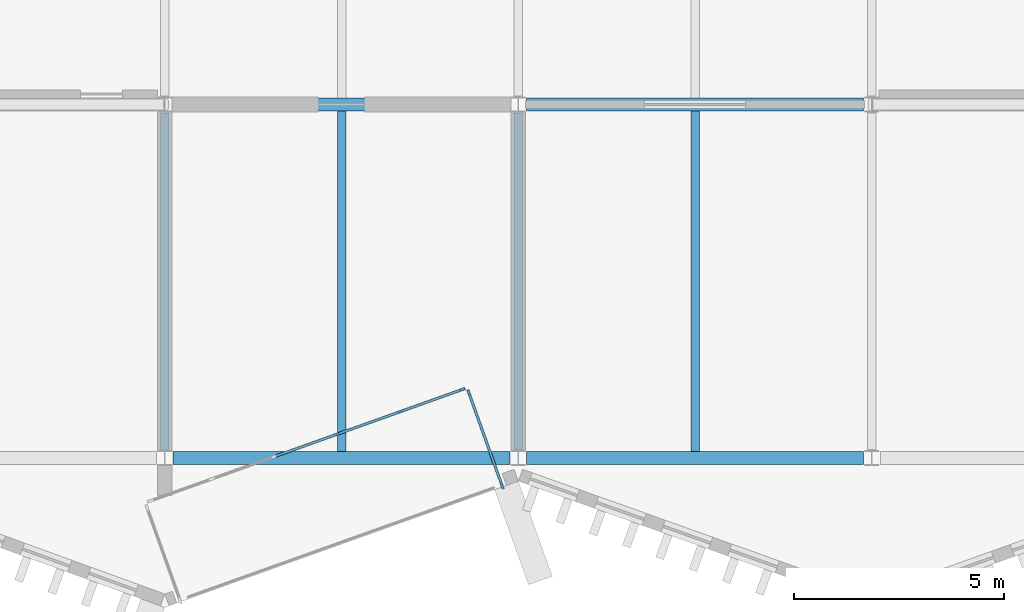
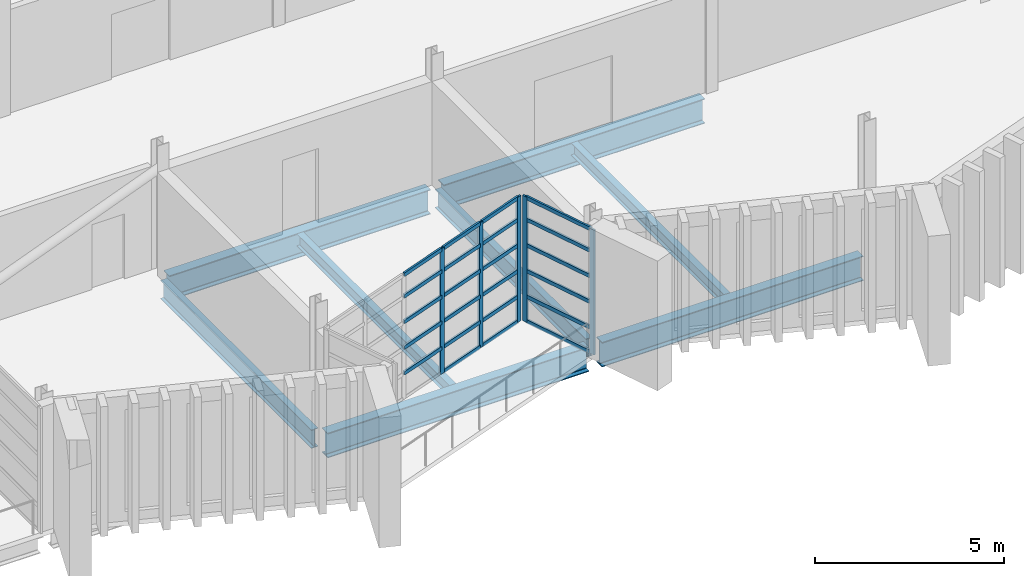
# One storey, part 15 of 96: 28 members, 8 beams, 2 elements without a shape of their own.
"""IFC4 building model written with IfcOpenShell, lengths in metres."""

import ifcopenshell
import ifcopenshell.guid

model = None  # the IFC model being written
_history = None  # IfcOwnerHistory: only IFC2X3 demands one
_inside = {}  # id of a spatial element -> (the spatial element, [elements in it])
_under = {}  # id of a project, library or spatial element -> (it, [spatial elements below it])
_declared = {}  # id of a project -> (the project, [libraries it declares])
_typed = {}  # id of a type object -> (the type object, [elements of that type])
_made_of = {}  # id of a material, layer set ... -> (it, [elements and type objects made of it])


def new_model(schema):
    """Start an empty IFC model of exactly this schema.

    Asked for "IFC4X3", IfcOpenShell would pick the latest addendum, in which some entities
    have other attributes; the version numbers below select the first issue.
    IFC2X3 requires an IfcOwnerHistory on every rooted entity: one is made here for all.
    """
    global model, _history
    if schema == "IFC4X3":
        model = ifcopenshell.file(schema_version=(4, 3, 0, 0))
    else:
        model = ifcopenshell.file(schema=schema)
    _inside.clear()
    _under.clear()
    _declared.clear()
    _typed.clear()
    _made_of.clear()
    _history = None
    if model.schema == "IFC2X3":
        org = make("IfcOrganization", Name="unknown")
        user = make(
            "IfcPersonAndOrganization",
            ThePerson=make("IfcPerson", FamilyName="unknown"),
            TheOrganization=org,
        )
        app = make(
            "IfcApplication",
            ApplicationDeveloper=org,
            Version="unknown",
            ApplicationFullName="unknown",
            ApplicationIdentifier="unknown",
        )
        _history = make(
            "IfcOwnerHistory",
            OwningUser=user,
            OwningApplication=app,
            ChangeAction="ADDED",
            CreationDate=0,
        )
    return model


def make(cls, **values):
    """One entity of the class cls with the attributes given. An attribute that is None is left unset."""
    return model.create_entity(
        cls, **{name: value for name, value in values.items() if value is not None}
    )


def rooted(cls, **values):
    """An entity with a GlobalId (a new one), such as an element, a storey or a relation."""
    return make(cls, GlobalId=ifcopenshell.guid.new(), OwnerHistory=_history, **values)


def si_unit(unit_type, name, prefix=None):
    """IfcSIUnit, for example si_unit("LENGTHUNIT", "METRE", prefix="MILLI")."""
    return make("IfcSIUnit", UnitType=unit_type, Prefix=prefix, Name=name)


def assignment(units):
    """IfcUnitAssignment: the units of a project."""
    return None if units is None else make("IfcUnitAssignment", Units=units)


def point(xyz):
    """IfcCartesianPoint."""
    return None if xyz is None else make("IfcCartesianPoint", Coordinates=xyz)


def direction(xyz):
    """IfcDirection."""
    return None if xyz is None else make("IfcDirection", DirectionRatios=xyz)


def frame(location, z_axis=None, x_axis=None):
    """IfcAxis2Placement3D, a coordinate frame: its origin and axes. An axis left out is left unset."""
    return make(
        "IfcAxis2Placement3D",
        Location=point(location),
        Axis=direction(z_axis),
        RefDirection=direction(x_axis),
    )


def frame_2d(location, x_axis=None):
    """IfcAxis2Placement2D, a coordinate frame in the plane: its origin and x axis."""
    return make(
        "IfcAxis2Placement2D", Location=point(location), RefDirection=direction(x_axis)
    )


def origin():
    """The frame at (0, 0, 0) with its axes left unset."""
    return frame((0.0, 0.0, 0.0))


def origin_2d():
    """The frame at (0, 0) in the plane with its x axis left unset."""
    return frame_2d((0.0, 0.0))


def place(relative_to, where):
    """IfcLocalPlacement: puts the frame where relative to a parent placement (None: the world)."""
    return make(
        "IfcLocalPlacement", PlacementRelTo=relative_to, RelativePlacement=where
    )


def context(
    kind, dimensions, precision=None, world=None, true_north=None, identifier=None
):
    """IfcGeometricRepresentationContext, for example the 3D "Model" context."""
    return make(
        "IfcGeometricRepresentationContext",
        ContextIdentifier=identifier,
        ContextType=kind,
        CoordinateSpaceDimension=dimensions,
        Precision=precision,
        WorldCoordinateSystem=world,
        TrueNorth=true_north,
    )


def subcontext(parent, identifier, kind, view, scale=None):
    """IfcGeometricRepresentationSubContext, for example "Body" below "Model"."""
    return make(
        "IfcGeometricRepresentationSubContext",
        ContextIdentifier=identifier,
        ContextType=kind,
        ParentContext=parent,
        TargetScale=scale,
        TargetView=view,
    )


def project(units=None, contexts=None):
    """IfcProject with its units and contexts."""
    return rooted(
        "IfcProject",
        Name="project",
        RepresentationContexts=contexts,
        UnitsInContext=assignment(units),
    )


def spatial(cls, under=None, at=None, **own):
    """A site, building, storey or space (cls), placed at a placement, below another one or the project."""
    s = rooted(cls, ObjectPlacement=at, **own)
    if under is not None:
        _under.setdefault(under.id(), (under, []))[1].append(s)
    return s


def profile(cls, at=None, kind="AREA", **sizes):
    """A parametric profile (cls). Its sizes go by their IFC names, for example OverallWidth=200.0."""
    return make(cls, ProfileType=kind, Position=at, **sizes)


def rectangle(**sizes):
    """IfcRectangleProfileDef."""
    return profile("IfcRectangleProfileDef", **sizes)


def i_section(**sizes):
    """IfcIShapeProfileDef."""
    return profile("IfcIShapeProfileDef", **sizes)


def extrude(swept, where, along, depth):
    """IfcExtrudedAreaSolid: the profile swept, set in the frame where, extruded along a direction by depth."""
    return make(
        "IfcExtrudedAreaSolid",
        SweptArea=swept,
        Position=where,
        ExtrudedDirection=direction(along),
        Depth=depth,
    )


def shape(context_of_items, identifier, shape_type, items):
    """IfcShapeRepresentation: the items that make up one representation, for example the "Body"."""
    return make(
        "IfcShapeRepresentation",
        ContextOfItems=context_of_items,
        RepresentationIdentifier=identifier,
        RepresentationType=shape_type,
        Items=items,
    )


def material(Name=None, Category=None):
    """IfcMaterial."""
    return make("IfcMaterial", Name=Name, Category=Category)


def layer(
    of_material, thickness, ventilated=None, Name=None, Category=None, Priority=None
):
    """IfcMaterialLayer: one layer of a wall or slab, of a material (None: an air gap)."""
    return make(
        "IfcMaterialLayer",
        Material=of_material,
        LayerThickness=thickness,
        IsVentilated=ventilated,
        Name=Name,
        Category=Category,
        Priority=Priority,
    )


def layer_set(layers, Name=None):
    """IfcMaterialLayerSet."""
    return make("IfcMaterialLayerSet", MaterialLayers=layers, LayerSetName=Name)


def material_profile(
    of_material, cross_section, Name=None, Category=None, Priority=None
):
    """IfcMaterialProfile: a cross section and its material."""
    return make(
        "IfcMaterialProfile",
        Name=Name,
        Material=of_material,
        Profile=cross_section,
        Priority=Priority,
        Category=Category,
    )


def profile_set(profiles, Name=None, composite=None):
    """IfcMaterialProfileSet."""
    return make(
        "IfcMaterialProfileSet",
        Name=Name,
        MaterialProfiles=profiles,
        CompositeProfile=composite,
    )


def made_of(thing, what):
    """Note that an element or type object is made of a material, layer set ...; save() writes the relation."""
    if what is not None:
        _made_of.setdefault(what.id(), (what, []))[1].append(thing)
    return thing


def type_object(cls, material=None, **own):
    """A type object (cls), such as IfcWallType, which elements share."""
    return made_of(rooted(cls, **own), material)


def element(
    cls,
    number,
    at=None,
    inside=None,
    cuts=None,
    type_object=None,
    material=None,
    context=None,
    identifier="Body",
    shape_type=None,
    held_by="IfcProductDefinitionShape",
    body=None,
    shapes=None,
    **own,
):
    """One element of the class cls, such as IfcWall. Its Tag is "e" and its number.

    at: its placement. inside: the storey or other place that contains it. cuts: it is an
    opening in that element (IfcRelVoidsElement). A single representation is given by context,
    identifier, shape_type and body (its items); several are given by shapes. held_by: the class
    of the entity that holds the representations. save() writes the other relations.
    """
    e = rooted(cls, Tag="e%d" % number, ObjectPlacement=at, **own)
    if body is not None:
        shapes = [shape(context, identifier, shape_type, body)]
    if shapes is not None:
        e.Representation = make(held_by, Representations=shapes)
    if inside is not None:
        _inside.setdefault(inside.id(), (inside, []))[1].append(e)
    if cuts is not None:
        rooted(
            "IfcRelVoidsElement", RelatingBuildingElement=cuts, RelatedOpeningElement=e
        )
    if type_object is not None:
        _typed.setdefault(type_object.id(), (type_object, []))[1].append(e)
    return made_of(e, material)


def aggregate(whole, parts):
    """IfcRelAggregates: a whole, such as a stair, and the parts it consists of."""
    return rooted("IfcRelAggregates", RelatingObject=whole, RelatedObjects=parts)


def save(model, path):
    """Write the relations noted so far, then the file.

    IfcRelAggregates (storeys below a building ...), IfcRelContainedInSpatialStructure (elements
    in a storey), IfcRelDefinesByType, IfcRelAssociatesMaterial and IfcRelDeclares: one each for
    every whole, place, type object, material and project.
    """
    for whole, parts in _under.values():
        aggregate(whole, parts)
    for where, things in _inside.values():
        rooted(
            "IfcRelContainedInSpatialStructure",
            RelatedElements=things,
            RelatingStructure=where,
        )
    for kind, things in _typed.values():
        rooted("IfcRelDefinesByType", RelatedObjects=things, RelatingType=kind)
    for what, things in _made_of.values():
        rooted("IfcRelAssociatesMaterial", RelatedObjects=things, RelatingMaterial=what)
    for by, libraries in _declared.values():
        rooted("IfcRelDeclares", RelatingContext=by, RelatedDefinitions=libraries)
    model.write(path)


model = new_model("IFC4")

# Units and contexts
model_context = context("Model", 3, precision=1e-05, world=origin(), true_north=direction((0.0, 1.0)))
body_context = subcontext(model_context, "Body", "Model", "MODEL_VIEW")
ifc_project = project(units=[si_unit("LENGTHUNIT", "METRE"), si_unit("AREAUNIT", "SQUARE_METRE"), si_unit("VOLUMEUNIT", "CUBIC_METRE"), si_unit("PLANEANGLEUNIT", "RADIAN"), si_unit("MASSUNIT", "GRAM", prefix="KILO")], contexts=[model_context])

# Site, building, storey
site_placement = place(None, origin())
site = spatial("IfcSite", under=ifc_project, at=site_placement, CompositionType="ELEMENT")
building_placement = place(site_placement, origin())
building = spatial("IfcBuilding", under=site, at=building_placement, Name="Cresset Court Congress Hotel", CompositionType="ELEMENT")
storey_placement = place(building_placement, frame((0.0, 0.0, 6.0)))
storey = spatial("IfcBuildingStorey", under=building, at=storey_placement, Name="L01", CompositionType="ELEMENT", Elevation=6.0)

# Curtain wall, members
ifc_material_1 = material(Name="Aluminium frame with double glazing", Category="aluminium")
ifc_layer = layer(ifc_material_1, 0.199951171875)
ifc_layer_set = layer_set([ifc_layer], Name="Glazed box curtain wall 1680 module")
curtain_wall_type = type_object("IfcCurtainWallType", Name="Glazed box curtain wall 1680 module", PredefinedType="NOTDEFINED", material=ifc_layer_set)
curtain_wall_1_placement = place(storey_placement, origin())
curtain_wall_1 = element("IfcCurtainWall", 1, at=curtain_wall_1_placement, inside=storey, type_object=curtain_wall_type, Name="Glazed box S0103 front", PredefinedType="NOTDEFINED")
ifc_material_2 = material(Name="Aluminium", Category="aluminium")
ifc_material_profile_1 = material_profile(ifc_material_2, rectangle(XDim=0.06005859375, YDim=0.159912109375, at=origin_2d()), Name="Box mullion 60x160")
ifc_profile_set_1 = profile_set([ifc_material_profile_1], Name="Aluminium")
member_type_1 = type_object("IfcMemberType", Name="Box mullion 60x160", PredefinedType="MULLION", material=ifc_profile_set_1)
member_1_placement = place(storey_placement, frame((29.304931640625, 0.57080078125, 0.0), z_axis=(0.0, 0.0, 1.0), x_axis=(-0.336336396981, 0.941741911601, 0.0)))
member_1 = element("IfcMember", 2, at=member_1_placement, type_object=member_type_1, Name="B-X1 mullion 4", PredefinedType="MULLION", context=body_context, shape_type="SweptSolid", body=[
    extrude(rectangle(XDim=0.06005859375, YDim=0.159912109375, at=origin_2d()), origin(), (0.0, 0.0, 1.0), 4.050048828125),
])
member_2_placement = place(storey_placement, frame((30.796630859375, 1.103515625, 0.0), z_axis=(0.0, 0.0, 1.0), x_axis=(-0.336336396981, 0.941741911601, 0.0)))
member_2 = element("IfcMember", 3, at=member_2_placement, type_object=member_type_1, Name="B-X1 mullion 5", PredefinedType="MULLION", context=body_context, shape_type="SweptSolid", body=[
    extrude(rectangle(XDim=0.06005859375, YDim=0.159912109375, at=origin_2d()), origin(), (0.0, 0.0, 1.0), 4.050048828125),
])
member_3_placement = place(storey_placement, frame((32.260009765625, 1.6259765625, 0.0), z_axis=(0.0, 0.0, 1.0), x_axis=(-0.336336396981, 0.941741911601, 0.0)))
member_3 = element("IfcMember", 4, at=member_3_placement, type_object=member_type_1, Name="B-X1 mullion 6", PredefinedType="MULLION", context=body_context, shape_type="SweptSolid", body=[
    extrude(rectangle(XDim=0.06005859375, YDim=0.159912109375, at=origin_2d()), origin(), (0.0, 0.0, 1.0), 4.050048828125),
])

curtain_wall_2_placement = place(storey_placement, origin())
curtain_wall_2 = element("IfcCurtainWall", 5, at=curtain_wall_2_placement, inside=storey, type_object=curtain_wall_type, Name="Glazed box S0103 side", PredefinedType="NOTDEFINED")
member_4_placement = place(storey_placement, frame((33.213134765625, -0.65625, 0.0), z_axis=(0.0, 0.0, 1.0), x_axis=(-0.941741911707, -0.336336396685, 0.0)))
member_4 = element("IfcMember", 6, at=member_4_placement, type_object=member_type_1, Name="B-X1 mullion 1", PredefinedType="MULLION", context=body_context, shape_type="SweptSolid", body=[
    extrude(rectangle(XDim=0.06005859375, YDim=0.159912109375, at=origin_2d()), origin(), (0.0, 0.0, 1.0), 4.050048828125),
])
member_5_placement = place(storey_placement, frame((32.42626953125, 1.54736328125, 0.0), z_axis=(0.0, 0.0, 1.0), x_axis=(-0.941741911707, -0.336336396685, 0.0)))
member_5 = element("IfcMember", 7, at=member_5_placement, type_object=member_type_1, Name="B-X1 mullion 2", PredefinedType="MULLION", context=body_context, shape_type="SweptSolid", body=[
    extrude(rectangle(XDim=0.06005859375, YDim=0.159912109375, at=origin_2d()), origin(), (0.0, 0.0, 1.0), 4.050048828125),
])

# Member
ifc_material_3 = material(Name="Aluminium", Category="aluminium")
ifc_material_profile_2 = material_profile(ifc_material_3, rectangle(XDim=0.06005859375, YDim=0.1201171875, at=origin_2d()), Name="Box transom 60x120")
ifc_profile_set_2 = profile_set([ifc_material_profile_2], Name="Aluminium")
member_type_2 = type_object("IfcMemberType", Name="Box transom 60x120", PredefinedType="USERDEFINED", material=ifc_profile_set_2)
member_6_placement = place(storey_placement, frame((27.841552734375, 0.048095703125, 0.830078125), z_axis=(0.941756410009, 0.336295798675, 0.0), x_axis=(-0.336295798675, 0.941756410009, 0.0)))
member_6 = element("IfcMember", 8, at=member_6_placement, type_object=member_type_2, Name="B-X1 transom 3.2", ObjectType="TRANSOM", PredefinedType="USERDEFINED", context=body_context, shape_type="SweptSolid", body=[
    extrude(rectangle(XDim=0.06005859375, YDim=0.1201171875, at=origin_2d()), origin(), (0.0, 0.0, 1.0), 1.52392578125),
])

member_7_placement = place(storey_placement, frame((27.841552734375, 0.048095703125, 1.659912109375), z_axis=(0.941756410009, 0.336295798675, 0.0), x_axis=(-0.336295798675, 0.941756410009, 0.0)))
member_7 = element("IfcMember", 9, at=member_7_placement, type_object=member_type_2, Name="B-X1 transom 3.3", ObjectType="TRANSOM", PredefinedType="USERDEFINED", context=body_context, shape_type="SweptSolid", body=[
    extrude(rectangle(XDim=0.06005859375, YDim=0.1201171875, at=origin_2d()), origin(), (0.0, 0.0, 1.0), 1.52392578125),
])

member_8_placement = place(storey_placement, frame((27.841552734375, 0.048095703125, 2.489990234375), z_axis=(0.941756410009, 0.336295798675, 0.0), x_axis=(-0.336295798675, 0.941756410009, 0.0)))
member_8 = element("IfcMember", 10, at=member_8_placement, type_object=member_type_2, Name="B-X1 transom 3.4", ObjectType="TRANSOM", PredefinedType="USERDEFINED", context=body_context, shape_type="SweptSolid", body=[
    extrude(rectangle(XDim=0.06005859375, YDim=0.1201171875, at=origin_2d()), origin(), (0.0, 0.0, 1.0), 1.52392578125),
])

member_9_placement = place(storey_placement, frame((27.841552734375, 0.048095703125, 3.320068359375), z_axis=(0.941756410009, 0.336295798675, 0.0), x_axis=(-0.336295798675, 0.941756410009, 0.0)))
member_9 = element("IfcMember", 11, at=member_9_placement, type_object=member_type_2, Name="B-X1 transom 3.5", ObjectType="TRANSOM", PredefinedType="USERDEFINED", context=body_context, shape_type="SweptSolid", body=[
    extrude(rectangle(XDim=0.06005859375, YDim=0.1201171875, at=origin_2d()), origin(), (0.0, 0.0, 1.0), 1.52392578125),
])

member_10_placement = place(storey_placement, frame((27.841552734375, 0.048095703125, 4.02001953125), z_axis=(0.941756410009, 0.336295798675, 0.0), x_axis=(-0.336295798675, 0.941756410009, 0.0)))
member_10 = element("IfcMember", 12, at=member_10_placement, type_object=member_type_2, Name="B-X1 transom 3.6", ObjectType="TRANSOM", PredefinedType="USERDEFINED", context=body_context, shape_type="SweptSolid", body=[
    extrude(rectangle(XDim=0.06005859375, YDim=0.1201171875, at=origin_2d()), origin(), (0.0, 0.0, 1.0), 1.52392578125),
])

member_11_placement = place(storey_placement, frame((29.333251953125, 0.580810546875, 0.030029296875), z_axis=(0.941756410009, 0.336295798675, 0.0), x_axis=(-0.336295798675, 0.941756410009, 0.0)))
member_11 = element("IfcMember", 13, at=member_11_placement, type_object=member_type_2, Name="B-X1 transom 4.1", ObjectType="TRANSOM", PredefinedType="USERDEFINED", context=body_context, shape_type="SweptSolid", body=[
    extrude(rectangle(XDim=0.06005859375, YDim=0.1201171875, at=origin_2d()), origin(), (0.0, 0.0, 1.0), 1.52392578125),
])

member_12_placement = place(storey_placement, frame((29.333251953125, 0.580810546875, 0.830078125), z_axis=(0.941756410009, 0.336295798675, 0.0), x_axis=(-0.336295798675, 0.941756410009, 0.0)))
member_12 = element("IfcMember", 14, at=member_12_placement, type_object=member_type_2, Name="B-X1 transom 4.2", ObjectType="TRANSOM", PredefinedType="USERDEFINED", context=body_context, shape_type="SweptSolid", body=[
    extrude(rectangle(XDim=0.06005859375, YDim=0.1201171875, at=origin_2d()), origin(), (0.0, 0.0, 1.0), 1.52392578125),
])

member_13_placement = place(storey_placement, frame((29.333251953125, 0.580810546875, 1.659912109375), z_axis=(0.941756410009, 0.336295798675, 0.0), x_axis=(-0.336295798675, 0.941756410009, 0.0)))
member_13 = element("IfcMember", 15, at=member_13_placement, type_object=member_type_2, Name="B-X1 transom 4.3", ObjectType="TRANSOM", PredefinedType="USERDEFINED", context=body_context, shape_type="SweptSolid", body=[
    extrude(rectangle(XDim=0.06005859375, YDim=0.1201171875, at=origin_2d()), origin(), (0.0, 0.0, 1.0), 1.52392578125),
])

member_14_placement = place(storey_placement, frame((29.333251953125, 0.580810546875, 2.489990234375), z_axis=(0.941756410009, 0.336295798675, 0.0), x_axis=(-0.336295798675, 0.941756410009, 0.0)))
member_14 = element("IfcMember", 16, at=member_14_placement, type_object=member_type_2, Name="B-X1 transom 4.4", ObjectType="TRANSOM", PredefinedType="USERDEFINED", context=body_context, shape_type="SweptSolid", body=[
    extrude(rectangle(XDim=0.06005859375, YDim=0.1201171875, at=origin_2d()), origin(), (0.0, 0.0, 1.0), 1.52392578125),
])

member_15_placement = place(storey_placement, frame((29.333251953125, 0.580810546875, 3.320068359375), z_axis=(0.941756410009, 0.336295798675, 0.0), x_axis=(-0.336295798675, 0.941756410009, 0.0)))
member_15 = element("IfcMember", 17, at=member_15_placement, type_object=member_type_2, Name="B-X1 transom 4.5", ObjectType="TRANSOM", PredefinedType="USERDEFINED", context=body_context, shape_type="SweptSolid", body=[
    extrude(rectangle(XDim=0.06005859375, YDim=0.1201171875, at=origin_2d()), origin(), (0.0, 0.0, 1.0), 1.52392578125),
])

member_16_placement = place(storey_placement, frame((29.333251953125, 0.580810546875, 4.02001953125), z_axis=(0.941756410009, 0.336295798675, 0.0), x_axis=(-0.336295798675, 0.941756410009, 0.0)))
member_16 = element("IfcMember", 18, at=member_16_placement, type_object=member_type_2, Name="B-X1 transom 4.6", ObjectType="TRANSOM", PredefinedType="USERDEFINED", context=body_context, shape_type="SweptSolid", body=[
    extrude(rectangle(XDim=0.06005859375, YDim=0.1201171875, at=origin_2d()), origin(), (0.0, 0.0, 1.0), 1.52392578125),
])

member_17_placement = place(storey_placement, frame((30.824951171875, 1.113525390625, 0.030029296875), z_axis=(0.941734515945, 0.336357104098, 0.0), x_axis=(-0.336357104098, 0.941734515945, 0.0)))
member_17 = element("IfcMember", 19, at=member_17_placement, type_object=member_type_2, Name="B-X1 transom 5.1", ObjectType="TRANSOM", PredefinedType="USERDEFINED", context=body_context, shape_type="SweptSolid", body=[
    extrude(rectangle(XDim=0.06005859375, YDim=0.1201171875, at=origin_2d()), origin(), (0.0, 0.0, 1.0), 1.49365234375),
])

member_18_placement = place(storey_placement, frame((30.824951171875, 1.113525390625, 0.830078125), z_axis=(0.941734515945, 0.336357104098, 0.0), x_axis=(-0.336357104098, 0.941734515945, 0.0)))
member_18 = element("IfcMember", 20, at=member_18_placement, type_object=member_type_2, Name="B-X1 transom 5.2", ObjectType="TRANSOM", PredefinedType="USERDEFINED", context=body_context, shape_type="SweptSolid", body=[
    extrude(rectangle(XDim=0.06005859375, YDim=0.1201171875, at=origin_2d()), origin(), (0.0, 0.0, 1.0), 1.49365234375),
])

member_19_placement = place(storey_placement, frame((30.824951171875, 1.113525390625, 1.659912109375), z_axis=(0.941734515945, 0.336357104098, 0.0), x_axis=(-0.336357104098, 0.941734515945, 0.0)))
member_19 = element("IfcMember", 21, at=member_19_placement, type_object=member_type_2, Name="B-X1 transom 5.3", ObjectType="TRANSOM", PredefinedType="USERDEFINED", context=body_context, shape_type="SweptSolid", body=[
    extrude(rectangle(XDim=0.06005859375, YDim=0.1201171875, at=origin_2d()), origin(), (0.0, 0.0, 1.0), 1.49365234375),
])

member_20_placement = place(storey_placement, frame((30.824951171875, 1.113525390625, 2.489990234375), z_axis=(0.941734515945, 0.336357104098, 0.0), x_axis=(-0.336357104098, 0.941734515945, 0.0)))
member_20 = element("IfcMember", 22, at=member_20_placement, type_object=member_type_2, Name="B-X1 transom 5.4", ObjectType="TRANSOM", PredefinedType="USERDEFINED", context=body_context, shape_type="SweptSolid", body=[
    extrude(rectangle(XDim=0.06005859375, YDim=0.1201171875, at=origin_2d()), origin(), (0.0, 0.0, 1.0), 1.49365234375),
])

member_21_placement = place(storey_placement, frame((30.824951171875, 1.113525390625, 3.320068359375), z_axis=(0.941734515945, 0.336357104098, 0.0), x_axis=(-0.336357104098, 0.941734515945, 0.0)))
member_21 = element("IfcMember", 23, at=member_21_placement, type_object=member_type_2, Name="B-X1 transom 5.5", ObjectType="TRANSOM", PredefinedType="USERDEFINED", context=body_context, shape_type="SweptSolid", body=[
    extrude(rectangle(XDim=0.06005859375, YDim=0.1201171875, at=origin_2d()), origin(), (0.0, 0.0, 1.0), 1.49365234375),
])

member_22_placement = place(storey_placement, frame((30.824951171875, 1.113525390625, 4.02001953125), z_axis=(0.941734515945, 0.336357104098, 0.0), x_axis=(-0.336357104098, 0.941734515945, 0.0)))
member_22 = element("IfcMember", 24, at=member_22_placement, type_object=member_type_2, Name="B-X1 transom 5.6", ObjectType="TRANSOM", PredefinedType="USERDEFINED", context=body_context, shape_type="SweptSolid", body=[
    extrude(rectangle(XDim=0.06005859375, YDim=0.1201171875, at=origin_2d()), origin(), (0.0, 0.0, 1.0), 1.49365234375),
])

aggregate(curtain_wall_1, [member_1, member_2, member_3, member_6, member_7, member_8, member_9, member_10, member_11, member_12, member_13, member_14, member_15, member_16, member_17, member_18, member_19, member_20, member_21, member_22])

member_23_placement = place(storey_placement, frame((33.203125, -0.6279296875, 0.030029296875), z_axis=(-0.336363532289, 0.941732219979, 0.0), x_axis=(-0.941732219979, -0.336363532289, 0.0)))
member_23 = element("IfcMember", 25, at=member_23_placement, type_object=member_type_2, Name="B-X1 transom 1.1", ObjectType="TRANSOM", PredefinedType="USERDEFINED", context=body_context, shape_type="SweptSolid", body=[
    extrude(rectangle(XDim=0.06005859375, YDim=0.1201171875, at=origin_2d()), origin(), (0.0, 0.0, 1.0), 2.27978515625),
])

member_24_placement = place(storey_placement, frame((33.203125, -0.6279296875, 0.830078125), z_axis=(-0.336363532289, 0.941732219979, 0.0), x_axis=(-0.941732219979, -0.336363532289, 0.0)))
member_24 = element("IfcMember", 26, at=member_24_placement, type_object=member_type_2, Name="B-X1 transom 1.2", ObjectType="TRANSOM", PredefinedType="USERDEFINED", context=body_context, shape_type="SweptSolid", body=[
    extrude(rectangle(XDim=0.06005859375, YDim=0.1201171875, at=origin_2d()), origin(), (0.0, 0.0, 1.0), 2.27978515625),
])

member_25_placement = place(storey_placement, frame((33.203125, -0.6279296875, 1.659912109375), z_axis=(-0.336363532289, 0.941732219979, 0.0), x_axis=(-0.941732219979, -0.336363532289, 0.0)))
member_25 = element("IfcMember", 27, at=member_25_placement, type_object=member_type_2, Name="B-X1 transom 1.3", ObjectType="TRANSOM", PredefinedType="USERDEFINED", context=body_context, shape_type="SweptSolid", body=[
    extrude(rectangle(XDim=0.06005859375, YDim=0.1201171875, at=origin_2d()), origin(), (0.0, 0.0, 1.0), 2.27978515625),
])

member_26_placement = place(storey_placement, frame((33.203125, -0.6279296875, 2.489990234375), z_axis=(-0.336363532289, 0.941732219979, 0.0), x_axis=(-0.941732219979, -0.336363532289, 0.0)))
member_26 = element("IfcMember", 28, at=member_26_placement, type_object=member_type_2, Name="B-X1 transom 1.4", ObjectType="TRANSOM", PredefinedType="USERDEFINED", context=body_context, shape_type="SweptSolid", body=[
    extrude(rectangle(XDim=0.06005859375, YDim=0.1201171875, at=origin_2d()), origin(), (0.0, 0.0, 1.0), 2.27978515625),
])

member_27_placement = place(storey_placement, frame((33.203125, -0.6279296875, 3.320068359375), z_axis=(-0.336363532289, 0.941732219979, 0.0), x_axis=(-0.941732219979, -0.336363532289, 0.0)))
member_27 = element("IfcMember", 29, at=member_27_placement, type_object=member_type_2, Name="B-X1 transom 1.5", ObjectType="TRANSOM", PredefinedType="USERDEFINED", context=body_context, shape_type="SweptSolid", body=[
    extrude(rectangle(XDim=0.06005859375, YDim=0.1201171875, at=origin_2d()), origin(), (0.0, 0.0, 1.0), 2.27978515625),
])

member_28_placement = place(storey_placement, frame((33.203125, -0.6279296875, 4.02001953125), z_axis=(-0.336363532289, 0.941732219979, 0.0), x_axis=(-0.941732219979, -0.336363532289, 0.0)))
member_28 = element("IfcMember", 30, at=member_28_placement, type_object=member_type_2, Name="B-X1 transom 1.6", ObjectType="TRANSOM", PredefinedType="USERDEFINED", context=body_context, shape_type="SweptSolid", body=[
    extrude(rectangle(XDim=0.06005859375, YDim=0.1201171875, at=origin_2d()), origin(), (0.0, 0.0, 1.0), 2.27978515625),
])

aggregate(curtain_wall_2, [member_4, member_5, member_23, member_24, member_25, member_26, member_27, member_28])

# Beams
ifc_material_4 = material(Name="Structural steel Q355B", Category="steel")
ifc_material_profile_3 = material_profile(ifc_material_4, i_section(OverallWidth=0.199951171875, OverallDepth=0.60009765625, WebThickness=0.010986328125, FlangeThickness=0.01708984375, FilletRadius=0.012939453125, at=origin_2d()), Name="HN600x200x11x17")
ifc_profile_set_3 = profile_set([ifc_material_profile_3], Name="Structural steel Q355B")
beam_type_1 = type_object("IfcBeamType", Name="Steel beam HN600x200x11x17", PredefinedType="BEAM", material=ifc_profile_set_3)
for number, where, z_axis, x_axis, name in (
    (31, (25.199951171875, 0.199951171875, -0.449951171875), (0.0, 1.0, 0.0), (-1.0, 0.0, 0.0), "B.by.L01.04A"),
    (32, (33.60009765625, 0.199951171875, -0.449951171875), (0.0, 1.0, 0.0), (-1.0, 0.0, 0.0), "B.by.L01.05A"),
):
    element("IfcBeam", number, at=place(storey_placement, frame(where, z_axis=z_axis, x_axis=x_axis)), inside=storey, type_object=beam_type_1, Name=name, PredefinedType="BEAM", context=body_context, shape_type="SweptSolid", body=[
        extrude(i_section(OverallWidth=0.199951171875, OverallDepth=0.60009765625, WebThickness=0.010986328125, FlangeThickness=0.01708984375, FilletRadius=0.012939453125, at=origin_2d()), origin(), (0.0, 0.0, 1.0), 8.0),
    ])
ifc_material_5 = material(Name="Structural steel Q355B", Category="steel")
ifc_material_profile_4 = material_profile(ifc_material_5, i_section(OverallWidth=0.300048828125, OverallDepth=0.800048828125, WebThickness=0.013916015625, FlangeThickness=0.02587890625, FilletRadius=0.01806640625, at=origin_2d()), Name="HN800x300x14x26")
ifc_profile_set_4 = profile_set([ifc_material_profile_4], Name="Structural steel Q355B")
beam_type_2 = type_object("IfcBeamType", Name="Steel beam HN800x300x14x26", PredefinedType="BEAM", material=ifc_profile_set_4)
for number, where, z_axis, x_axis, name in (
    (33, (25.39990234375, 0.0, -0.550048828125), (1.0, 0.0, 0.0), (0.0, 1.0, 0.0), "B.bx.L01.A04"),
    (34, (33.800048828125, 0.0, -0.550048828125), (1.0, 0.0, 0.0), (0.0, 1.0, 0.0), "B.bx.L01.A05"),
    (35, (25.39990234375, 8.39990234375, -0.550048828125), (1.0, 0.0, 0.0), (0.0, 1.0, 0.0), "B.bx.L01.B04"),
    (36, (33.800048828125, 8.39990234375, -0.550048828125), (1.0, 0.0, 0.0), (0.0, 1.0, 0.0), "B.bx.L01.B05"),
):
    element("IfcBeam", number, at=place(storey_placement, frame(where, z_axis=z_axis, x_axis=x_axis)), inside=storey, type_object=beam_type_2, Name=name, PredefinedType="BEAM", context=body_context, shape_type="SweptSolid", body=[
        extrude(i_section(OverallWidth=0.300048828125, OverallDepth=0.800048828125, WebThickness=0.013916015625, FlangeThickness=0.02587890625, FilletRadius=0.01806640625, at=origin_2d()), origin(), (0.0, 0.0, 1.0), 8.0),
    ])
ifc_material_6 = material(Name="Structural steel Q355B", Category="steel")
ifc_material_profile_5 = material_profile(ifc_material_6, i_section(OverallWidth=0.199951171875, OverallDepth=0.39990234375, WebThickness=0.008056640625, FlangeThickness=0.012939453125, FilletRadius=0.01611328125, at=origin_2d()), Name="HN400x200x8x13")
ifc_profile_set_5 = profile_set([ifc_material_profile_5], Name="Structural steel Q355B")
beam_type_3 = type_object("IfcBeamType", Name="Steel joist HN400x200x8x13", PredefinedType="JOIST", material=ifc_profile_set_5)
for number, where, z_axis, x_axis, name in (
    (37, (29.39990234375, 0.14990234375, -0.35009765625), (0.0, 1.0, 0.0), (-1.0, 0.0, 0.0), "B.bj.L01.04A"),
    (38, (37.800048828125, 0.14990234375, -0.35009765625), (0.0, 1.0, 0.0), (-1.0, 0.0, 0.0), "B.bj.L01.05A"),
):
    element("IfcBeam", number, at=place(storey_placement, frame(where, z_axis=z_axis, x_axis=x_axis)), inside=storey, type_object=beam_type_3, Name=name, PredefinedType="JOIST", context=body_context, shape_type="SweptSolid", body=[
        extrude(i_section(OverallWidth=0.199951171875, OverallDepth=0.39990234375, WebThickness=0.008056640625, FlangeThickness=0.012939453125, FilletRadius=0.01611328125, at=origin_2d()), origin(), (0.0, 0.0, 1.0), 8.10009765625),
    ])

save(model, "model.ifc")
